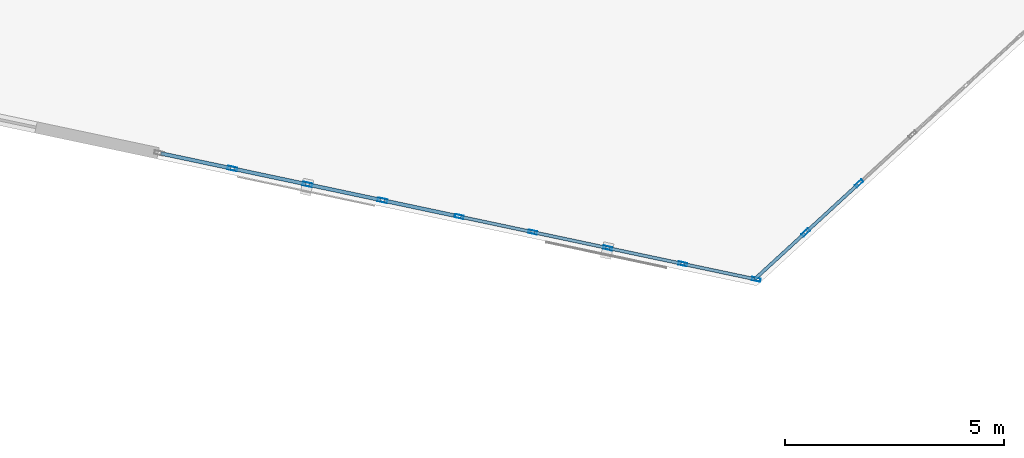
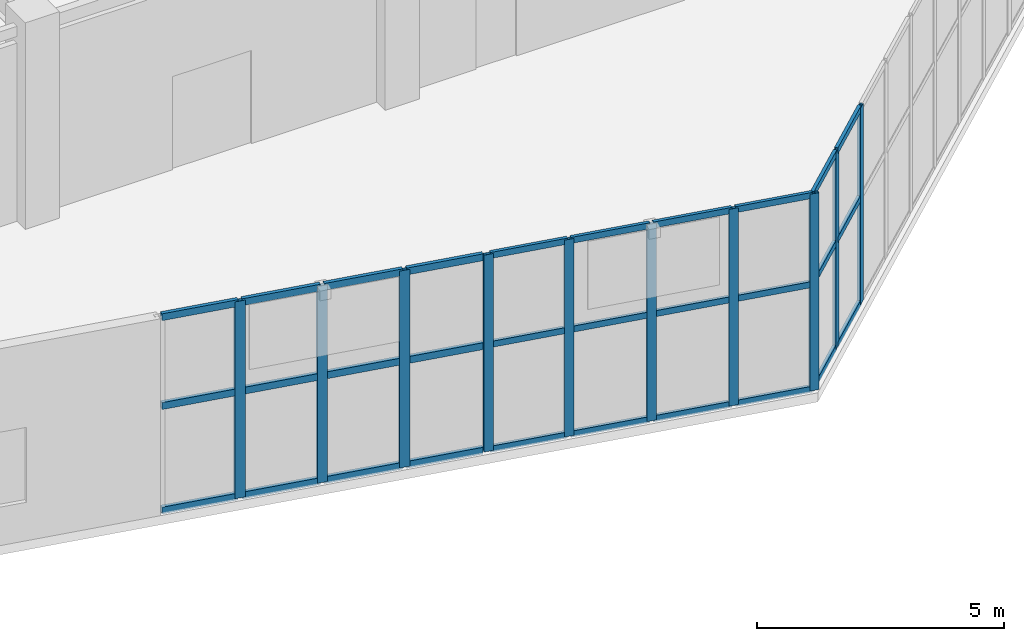
# One storey, part 34 of 128: 40 members, 3 elements without a shape of their own.
"""IFC4 building model written with IfcOpenShell, lengths in metres."""

from ifc_helpers import new_model, si_unit, direction, frame, origin, origin_2d, place, context, subcontext, project, spatial, hollow_rectangle, extrude, material, layer, layer_set, material_profile, profile_set, type_object, element, aggregate, save


model = new_model("IFC4")

# Units and contexts
model_context = context("Model", 3, precision=1e-05, world=origin(), true_north=direction((0.0, 1.0)))
body_context = subcontext(model_context, "Body", "Model", "MODEL_VIEW")
ifc_project = project(units=[si_unit("LENGTHUNIT", "METRE"), si_unit("AREAUNIT", "SQUARE_METRE"), si_unit("VOLUMEUNIT", "CUBIC_METRE"), si_unit("PLANEANGLEUNIT", "RADIAN"), si_unit("MASSUNIT", "GRAM", prefix="KILO")], contexts=[model_context])

# Site, building, storey
site_placement = place(None, origin())
site = spatial("IfcSite", under=ifc_project, at=site_placement, CompositionType="ELEMENT")
building_placement = place(site_placement, origin())
building = spatial("IfcBuilding", under=site, at=building_placement, Name="Xicomal Pleat Aquarium", CompositionType="ELEMENT")
storey_placement = place(building_placement, frame((0.0, 0.0, 5.39990234375)))
storey = spatial("IfcBuildingStorey", under=building, at=storey_placement, Name="L02", CompositionType="ELEMENT", Elevation=5.39990234375)

# Curtain wall, members
ifc_material_1 = material(Name="Bronze anodized aluminium 6063-T6", Category="aluminium")
ifc_layer_1 = layer(ifc_material_1, 0.159912109375)
ifc_layer_set_1 = layer_set([ifc_layer_1], Name="Bronze anodized aluminium 6063-T6")
curtain_wall_type_1 = type_object("IfcCurtainWallType", Name="CW-SYS-07", PredefinedType="NOTDEFINED", material=ifc_layer_set_1)
curtain_wall_1_placement = place(storey_placement, origin())
curtain_wall_1 = element("IfcCurtainWall", 1, at=curtain_wall_1_placement, inside=storey, type_object=curtain_wall_type_1, Name="L02 unitised curtain wall CW-L02-091", PredefinedType="NOTDEFINED")
ifc_material_2 = material(Name="Bronze anodized aluminium 6063-T6", Category="aluminium")
ifc_material_profile_1 = material_profile(ifc_material_2, hollow_rectangle(XDim=0.074951171875, YDim=0.199951171875, WallThickness=0.00439453125, at=origin_2d()), Name="ALU MULL 75x200")
ifc_profile_set_1 = profile_set([ifc_material_profile_1], Name="Bronze anodized aluminium 6063-T6")
member_type_1 = type_object("IfcMemberType", Name="CWM-75x200", PredefinedType="MULLION", material=ifc_profile_set_1)
member_1_placement = place(storey_placement, frame((79.59228515625, 17.144775390625, 0.0), z_axis=(0.0, 0.0, 1.0), x_axis=(-0.207090034789, -0.978321888486, 0.0)))
member_1 = element("IfcMember", 2, at=member_1_placement, type_object=member_type_1, Name="CW-07 mullion 1", PredefinedType="MULLION", context=body_context, shape_type="SweptSolid", body=[
    extrude(hollow_rectangle(XDim=0.074951171875, YDim=0.199951171875, WallThickness=0.00439453125, at=origin_2d()), origin(), (0.0, 0.0, 1.0), 4.860107421875),
])
member_2_placement = place(storey_placement, frame((77.91650390625, 17.49951171875, 0.0), z_axis=(0.0, 0.0, 1.0), x_axis=(-0.207090034789, -0.978321888486, 0.0)))
member_2 = element("IfcMember", 3, at=member_2_placement, type_object=member_type_1, Name="CW-07 mullion 2", PredefinedType="MULLION", context=body_context, shape_type="SweptSolid", body=[
    extrude(hollow_rectangle(XDim=0.074951171875, YDim=0.199951171875, WallThickness=0.00439453125, at=origin_2d()), origin(), (0.0, 0.0, 1.0), 4.860107421875),
])
member_3_placement = place(storey_placement, frame((76.2041015625, 17.862060546875, 0.0), z_axis=(0.0, 0.0, 1.0), x_axis=(-0.207090034789, -0.978321888486, 0.0)))
member_3 = element("IfcMember", 4, at=member_3_placement, type_object=member_type_1, Name="CW-07 mullion 3", PredefinedType="MULLION", context=body_context, shape_type="SweptSolid", body=[
    extrude(hollow_rectangle(XDim=0.074951171875, YDim=0.199951171875, WallThickness=0.00439453125, at=origin_2d()), origin(), (0.0, 0.0, 1.0), 4.860107421875),
])
member_4_placement = place(storey_placement, frame((74.491455078125, 18.224609375, 0.0), z_axis=(0.0, 0.0, 1.0), x_axis=(-0.207090034789, -0.978321888486, 0.0)))
member_4 = element("IfcMember", 5, at=member_4_placement, type_object=member_type_1, Name="CW-07 mullion 4", PredefinedType="MULLION", context=body_context, shape_type="SweptSolid", body=[
    extrude(hollow_rectangle(XDim=0.074951171875, YDim=0.199951171875, WallThickness=0.00439453125, at=origin_2d()), origin(), (0.0, 0.0, 1.0), 4.860107421875),
])
member_5_placement = place(storey_placement, frame((72.815673828125, 18.5791015625, 0.0), z_axis=(0.0, 0.0, 1.0), x_axis=(-0.207090034789, -0.978321888486, 0.0)))
member_5 = element("IfcMember", 6, at=member_5_placement, type_object=member_type_1, Name="CW-07 mullion 5", PredefinedType="MULLION", context=body_context, shape_type="SweptSolid", body=[
    extrude(hollow_rectangle(XDim=0.074951171875, YDim=0.199951171875, WallThickness=0.00439453125, at=origin_2d()), origin(), (0.0, 0.0, 1.0), 4.860107421875),
])

curtain_wall_2_placement = place(storey_placement, origin())
curtain_wall_2 = element("IfcCurtainWall", 7, at=curtain_wall_2_placement, inside=storey, type_object=curtain_wall_type_1, Name="L02 unitised curtain wall CW-L02-121", PredefinedType="NOTDEFINED")
member_6_placement = place(storey_placement, frame((81.9384765625, 19.33642578125, 0.0), z_axis=(0.0, 0.0, 1.0), x_axis=(0.676183757735, -0.736733008475, 0.0)))
member_6 = element("IfcMember", 8, at=member_6_placement, type_object=member_type_1, Name="CW-07 mullion 3", PredefinedType="MULLION", context=body_context, shape_type="SweptSolid", body=[
    extrude(hollow_rectangle(XDim=0.074951171875, YDim=0.199951171875, WallThickness=0.00439453125, at=origin_2d()), origin(), (0.0, 0.0, 1.0), 4.860107421875),
])
member_7_placement = place(storey_placement, frame((80.7216796875, 18.2197265625, 0.0), z_axis=(0.0, 0.0, 1.0), x_axis=(0.676183757735, -0.736733008475, 0.0)))
member_7 = element("IfcMember", 9, at=member_7_placement, type_object=member_type_1, Name="CW-07 mullion 4", PredefinedType="MULLION", context=body_context, shape_type="SweptSolid", body=[
    extrude(hollow_rectangle(XDim=0.074951171875, YDim=0.199951171875, WallThickness=0.00439453125, at=origin_2d()), origin(), (0.0, 0.0, 1.0), 4.860107421875),
])

ifc_material_3 = material(Name="Bronze anodized aluminium 6063-T6", Category="aluminium")
ifc_layer_2 = layer(ifc_material_3, 0.159912109375)
ifc_layer_set_2 = layer_set([ifc_layer_2], Name="Bronze anodized aluminium 6063-T6")
curtain_wall_type_2 = type_object("IfcCurtainWallType", Name="CW-SYS-12", PredefinedType="NOTDEFINED", material=ifc_layer_set_2)
curtain_wall_3_placement = place(storey_placement, origin())
curtain_wall_3 = element("IfcCurtainWall", 10, at=curtain_wall_3_placement, inside=storey, type_object=curtain_wall_type_2, Name="L02 unitised curtain wall CW-L02-092", PredefinedType="NOTDEFINED")
ifc_material_4 = material(Name="Bronze anodized aluminium 6063-T6", Category="aluminium")
ifc_material_profile_2 = material_profile(ifc_material_4, hollow_rectangle(XDim=0.0849609375, YDim=0.219970703125, WallThickness=0.0048828125, at=origin_2d()), Name="ALU MULL 85x220")
ifc_profile_set_2 = profile_set([ifc_material_profile_2], Name="Bronze anodized aluminium 6063-T6")
member_type_2 = type_object("IfcMemberType", Name="CWM-85x220", PredefinedType="MULLION", material=ifc_profile_set_2)
member_8_placement = place(storey_placement, frame((71.06640625, 18.949462890625, 0.0), z_axis=(0.0, 0.0, 1.0), x_axis=(-0.207090034789, -0.978321888486, 0.0)))
member_8 = element("IfcMember", 11, at=member_8_placement, type_object=member_type_2, Name="CW-12 mullion 2", PredefinedType="MULLION", context=body_context, shape_type="SweptSolid", body=[
    extrude(hollow_rectangle(XDim=0.0849609375, YDim=0.219970703125, WallThickness=0.0048828125, at=origin_2d()), origin(), (0.0, 0.0, 1.0), 4.860107421875),
])
member_9_placement = place(storey_placement, frame((69.35400390625, 19.31201171875, 0.0), z_axis=(0.0, 0.0, 1.0), x_axis=(-0.207090034789, -0.978321888486, 0.0)))
member_9 = element("IfcMember", 12, at=member_9_placement, type_object=member_type_2, Name="CW-12 mullion 3", PredefinedType="MULLION", context=body_context, shape_type="SweptSolid", body=[
    extrude(hollow_rectangle(XDim=0.0849609375, YDim=0.219970703125, WallThickness=0.0048828125, at=origin_2d()), origin(), (0.0, 0.0, 1.0), 4.860107421875),
])
member_10_placement = place(storey_placement, frame((67.6416015625, 19.674560546875, 0.0), z_axis=(0.0, 0.0, 1.0), x_axis=(-0.207090034789, -0.978321888486, 0.0)))
member_10 = element("IfcMember", 13, at=member_10_placement, type_object=member_type_2, Name="CW-12 mullion 4", PredefinedType="MULLION", context=body_context, shape_type="SweptSolid", body=[
    extrude(hollow_rectangle(XDim=0.0849609375, YDim=0.219970703125, WallThickness=0.0048828125, at=origin_2d()), origin(), (0.0, 0.0, 1.0), 4.860107421875),
])

# Member
ifc_material_5 = material(Name="Bronze anodized aluminium 6063-T6", Category="aluminium")
ifc_material_profile_3 = material_profile(ifc_material_5, hollow_rectangle(XDim=0.074951171875, YDim=0.14990234375, WallThickness=0.00439453125, at=origin_2d()), Name="ALU TRAN 75x150")
ifc_profile_set_3 = profile_set([ifc_material_profile_3], Name="Bronze anodized aluminium 6063-T6")
member_type_3 = type_object("IfcMemberType", Name="CWT-75x150", PredefinedType="USERDEFINED", material=ifc_profile_set_3)
member_11_placement = place(storey_placement, frame((79.5556640625, 17.152587890625, 0.03759765625), z_axis=(-0.978335772388, 0.207024434468, 0.0), x_axis=(-0.207024434468, -0.978335772388, 0.0)))
member_11 = element("IfcMember", 14, at=member_11_placement, type_object=member_type_3, Name="CW-07 transom 1.1", ObjectType="TRANSOM", PredefinedType="USERDEFINED", context=body_context, shape_type="SweptSolid", body=[
    extrude(hollow_rectangle(XDim=0.074951171875, YDim=0.14990234375, WallThickness=0.00439453125, at=origin_2d()), origin(), (0.0, 0.0, 1.0), 1.637939453125),
])

member_12_placement = place(storey_placement, frame((79.5556640625, 17.152587890625, 2.6240234375), z_axis=(-0.978335772388, 0.207024434468, 0.0), x_axis=(-0.207024434468, -0.978335772388, 0.0)))
member_12 = element("IfcMember", 15, at=member_12_placement, type_object=member_type_3, Name="CW-07 transom 1.2", ObjectType="TRANSOM", PredefinedType="USERDEFINED", context=body_context, shape_type="SweptSolid", body=[
    extrude(hollow_rectangle(XDim=0.074951171875, YDim=0.14990234375, WallThickness=0.00439453125, at=origin_2d()), origin(), (0.0, 0.0, 1.0), 1.637939453125),
])

member_13_placement = place(storey_placement, frame((79.5556640625, 17.152587890625, 4.822509765625), z_axis=(-0.978335772388, 0.207024434468, 0.0), x_axis=(-0.207024434468, -0.978335772388, 0.0)))
member_13 = element("IfcMember", 16, at=member_13_placement, type_object=member_type_3, Name="CW-07 transom 1.3", ObjectType="TRANSOM", PredefinedType="USERDEFINED", context=body_context, shape_type="SweptSolid", body=[
    extrude(hollow_rectangle(XDim=0.074951171875, YDim=0.14990234375, WallThickness=0.00439453125, at=origin_2d()), origin(), (0.0, 0.0, 1.0), 1.637939453125),
])

member_14_placement = place(storey_placement, frame((77.8798828125, 17.50732421875, 0.03759765625), z_axis=(-0.9783281372, 0.207060512803, 0.0), x_axis=(-0.207060512803, -0.9783281372, 0.0)))
member_14 = element("IfcMember", 17, at=member_14_placement, type_object=member_type_3, Name="CW-07 transom 2.1", ObjectType="TRANSOM", PredefinedType="USERDEFINED", context=body_context, shape_type="SweptSolid", body=[
    extrude(hollow_rectangle(XDim=0.074951171875, YDim=0.14990234375, WallThickness=0.00439453125, at=origin_2d()), origin(), (0.0, 0.0, 1.0), 1.675537109375),
])

member_15_placement = place(storey_placement, frame((77.8798828125, 17.50732421875, 2.6240234375), z_axis=(-0.9783281372, 0.207060512803, 0.0), x_axis=(-0.207060512803, -0.9783281372, 0.0)))
member_15 = element("IfcMember", 18, at=member_15_placement, type_object=member_type_3, Name="CW-07 transom 2.2", ObjectType="TRANSOM", PredefinedType="USERDEFINED", context=body_context, shape_type="SweptSolid", body=[
    extrude(hollow_rectangle(XDim=0.074951171875, YDim=0.14990234375, WallThickness=0.00439453125, at=origin_2d()), origin(), (0.0, 0.0, 1.0), 1.675537109375),
])

member_16_placement = place(storey_placement, frame((77.8798828125, 17.50732421875, 4.822509765625), z_axis=(-0.9783281372, 0.207060512803, 0.0), x_axis=(-0.207060512803, -0.9783281372, 0.0)))
member_16 = element("IfcMember", 19, at=member_16_placement, type_object=member_type_3, Name="CW-07 transom 2.3", ObjectType="TRANSOM", PredefinedType="USERDEFINED", context=body_context, shape_type="SweptSolid", body=[
    extrude(hollow_rectangle(XDim=0.074951171875, YDim=0.14990234375, WallThickness=0.00439453125, at=origin_2d()), origin(), (0.0, 0.0, 1.0), 1.675537109375),
])

member_17_placement = place(storey_placement, frame((76.167236328125, 17.869873046875, 0.03759765625), z_axis=(-0.978321888486, 0.207090034789, 0.0), x_axis=(-0.207090034789, -0.978321888486, 0.0)))
member_17 = element("IfcMember", 20, at=member_17_placement, type_object=member_type_3, Name="CW-07 transom 3.1", ObjectType="TRANSOM", PredefinedType="USERDEFINED", context=body_context, shape_type="SweptSolid", body=[
    extrude(hollow_rectangle(XDim=0.074951171875, YDim=0.14990234375, WallThickness=0.00439453125, at=origin_2d()), origin(), (0.0, 0.0, 1.0), 1.67529296875),
])

member_18_placement = place(storey_placement, frame((76.167236328125, 17.869873046875, 2.6240234375), z_axis=(-0.978321888486, 0.207090034789, 0.0), x_axis=(-0.207090034789, -0.978321888486, 0.0)))
member_18 = element("IfcMember", 21, at=member_18_placement, type_object=member_type_3, Name="CW-07 transom 3.2", ObjectType="TRANSOM", PredefinedType="USERDEFINED", context=body_context, shape_type="SweptSolid", body=[
    extrude(hollow_rectangle(XDim=0.074951171875, YDim=0.14990234375, WallThickness=0.00439453125, at=origin_2d()), origin(), (0.0, 0.0, 1.0), 1.67529296875),
])

member_19_placement = place(storey_placement, frame((76.167236328125, 17.869873046875, 4.822509765625), z_axis=(-0.978321888486, 0.207090034789, 0.0), x_axis=(-0.207090034789, -0.978321888486, 0.0)))
member_19 = element("IfcMember", 22, at=member_19_placement, type_object=member_type_3, Name="CW-07 transom 3.3", ObjectType="TRANSOM", PredefinedType="USERDEFINED", context=body_context, shape_type="SweptSolid", body=[
    extrude(hollow_rectangle(XDim=0.074951171875, YDim=0.14990234375, WallThickness=0.00439453125, at=origin_2d()), origin(), (0.0, 0.0, 1.0), 1.67529296875),
])

member_20_placement = place(storey_placement, frame((74.454833984375, 18.232421875, 0.03759765625), z_axis=(-0.978335772388, 0.207024434468, 0.0), x_axis=(-0.207024434468, -0.978335772388, 0.0)))
member_20 = element("IfcMember", 23, at=member_20_placement, type_object=member_type_3, Name="CW-07 transom 4.1", ObjectType="TRANSOM", PredefinedType="USERDEFINED", context=body_context, shape_type="SweptSolid", body=[
    extrude(hollow_rectangle(XDim=0.074951171875, YDim=0.14990234375, WallThickness=0.00439453125, at=origin_2d()), origin(), (0.0, 0.0, 1.0), 1.637939453125),
])

member_21_placement = place(storey_placement, frame((74.454833984375, 18.232421875, 2.6240234375), z_axis=(-0.978335772388, 0.207024434468, 0.0), x_axis=(-0.207024434468, -0.978335772388, 0.0)))
member_21 = element("IfcMember", 24, at=member_21_placement, type_object=member_type_3, Name="CW-07 transom 4.2", ObjectType="TRANSOM", PredefinedType="USERDEFINED", context=body_context, shape_type="SweptSolid", body=[
    extrude(hollow_rectangle(XDim=0.074951171875, YDim=0.14990234375, WallThickness=0.00439453125, at=origin_2d()), origin(), (0.0, 0.0, 1.0), 1.637939453125),
])

member_22_placement = place(storey_placement, frame((74.454833984375, 18.232421875, 4.822509765625), z_axis=(-0.978335772388, 0.207024434468, 0.0), x_axis=(-0.207024434468, -0.978335772388, 0.0)))
member_22 = element("IfcMember", 25, at=member_22_placement, type_object=member_type_3, Name="CW-07 transom 4.3", ObjectType="TRANSOM", PredefinedType="USERDEFINED", context=body_context, shape_type="SweptSolid", body=[
    extrude(hollow_rectangle(XDim=0.074951171875, YDim=0.14990234375, WallThickness=0.00439453125, at=origin_2d()), origin(), (0.0, 0.0, 1.0), 1.637939453125),
])

aggregate(curtain_wall_1, [member_1, member_2, member_3, member_4, member_5, member_11, member_12, member_13, member_14, member_15, member_16, member_17, member_18, member_19, member_20, member_21, member_22])

member_23_placement = place(storey_placement, frame((81.910888671875, 19.31103515625, 0.03759765625), z_axis=(-0.736736131374, -0.676180355177, 0.0), x_axis=(0.676180355177, -0.736736131374, 0.0)))
member_23 = element("IfcMember", 26, at=member_23_placement, type_object=member_type_3, Name="CW-07 transom 3.1", ObjectType="TRANSOM", PredefinedType="USERDEFINED", context=body_context, shape_type="SweptSolid", body=[
    extrude(hollow_rectangle(XDim=0.074951171875, YDim=0.14990234375, WallThickness=0.00439453125, at=origin_2d()), origin(), (0.0, 0.0, 1.0), 1.576416015625),
])

member_24_placement = place(storey_placement, frame((81.910888671875, 19.31103515625, 2.6240234375), z_axis=(-0.736736131374, -0.676180355177, 0.0), x_axis=(0.676180355177, -0.736736131374, 0.0)))
member_24 = element("IfcMember", 27, at=member_24_placement, type_object=member_type_3, Name="CW-07 transom 3.2", ObjectType="TRANSOM", PredefinedType="USERDEFINED", context=body_context, shape_type="SweptSolid", body=[
    extrude(hollow_rectangle(XDim=0.074951171875, YDim=0.14990234375, WallThickness=0.00439453125, at=origin_2d()), origin(), (0.0, 0.0, 1.0), 1.576416015625),
])

member_25_placement = place(storey_placement, frame((81.910888671875, 19.31103515625, 4.822509765625), z_axis=(-0.736736131374, -0.676180355177, 0.0), x_axis=(0.676180355177, -0.736736131374, 0.0)))
member_25 = element("IfcMember", 28, at=member_25_placement, type_object=member_type_3, Name="CW-07 transom 3.3", ObjectType="TRANSOM", PredefinedType="USERDEFINED", context=body_context, shape_type="SweptSolid", body=[
    extrude(hollow_rectangle(XDim=0.074951171875, YDim=0.14990234375, WallThickness=0.00439453125, at=origin_2d()), origin(), (0.0, 0.0, 1.0), 1.576416015625),
])

member_26_placement = place(storey_placement, frame((80.694091796875, 18.1943359375, 0.03759765625), z_axis=(-0.736758892154, -0.676155555203, 0.0), x_axis=(0.676155555203, -0.736758892154, 0.0)))
member_26 = element("IfcMember", 29, at=member_26_placement, type_object=member_type_3, Name="CW-07 transom 4.1", ObjectType="TRANSOM", PredefinedType="USERDEFINED", context=body_context, shape_type="SweptSolid", body=[
    extrude(hollow_rectangle(XDim=0.074951171875, YDim=0.14990234375, WallThickness=0.00439453125, at=origin_2d()), origin(), (0.0, 0.0, 1.0), 1.538818359375),
])

member_27_placement = place(storey_placement, frame((80.694091796875, 18.1943359375, 2.6240234375), z_axis=(-0.736758892154, -0.676155555203, 0.0), x_axis=(0.676155555203, -0.736758892154, 0.0)))
member_27 = element("IfcMember", 30, at=member_27_placement, type_object=member_type_3, Name="CW-07 transom 4.2", ObjectType="TRANSOM", PredefinedType="USERDEFINED", context=body_context, shape_type="SweptSolid", body=[
    extrude(hollow_rectangle(XDim=0.074951171875, YDim=0.14990234375, WallThickness=0.00439453125, at=origin_2d()), origin(), (0.0, 0.0, 1.0), 1.538818359375),
])

member_28_placement = place(storey_placement, frame((80.694091796875, 18.1943359375, 4.822509765625), z_axis=(-0.736758892154, -0.676155555203, 0.0), x_axis=(0.676155555203, -0.736758892154, 0.0)))
member_28 = element("IfcMember", 31, at=member_28_placement, type_object=member_type_3, Name="CW-07 transom 4.3", ObjectType="TRANSOM", PredefinedType="USERDEFINED", context=body_context, shape_type="SweptSolid", body=[
    extrude(hollow_rectangle(XDim=0.074951171875, YDim=0.14990234375, WallThickness=0.00439453125, at=origin_2d()), origin(), (0.0, 0.0, 1.0), 1.538818359375),
])

aggregate(curtain_wall_2, [member_6, member_7, member_23, member_24, member_25, member_26, member_27, member_28])

ifc_material_6 = material(Name="Bronze anodized aluminium 6063-T6", Category="aluminium")
ifc_material_profile_4 = material_profile(ifc_material_6, hollow_rectangle(XDim=0.0849609375, YDim=0.169921875, WallThickness=0.0048828125, at=origin_2d()), Name="ALU TRAN 85x170")
ifc_profile_set_4 = profile_set([ifc_material_profile_4], Name="Bronze anodized aluminium 6063-T6")
member_type_4 = type_object("IfcMemberType", Name="CWT-85x170", PredefinedType="USERDEFINED", material=ifc_profile_set_4)
member_29_placement = place(storey_placement, frame((72.69580078125, 18.6044921875, 0.04248046875), z_axis=(-0.978308092832, 0.207155196652, 0.0), x_axis=(-0.207155196652, -0.978308092832, 0.0)))
member_29 = element("IfcMember", 32, at=member_29_placement, type_object=member_type_4, Name="CW-12 transom 1.1", ObjectType="TRANSOM", PredefinedType="USERDEFINED", context=body_context, shape_type="SweptSolid", body=[
    extrude(hollow_rectangle(XDim=0.0849609375, YDim=0.169921875, WallThickness=0.0048828125, at=origin_2d()), origin(), (0.0, 0.0, 1.0), 1.622802734375),
])

member_30_placement = place(storey_placement, frame((72.69580078125, 18.6044921875, 2.6240234375), z_axis=(-0.978308092832, 0.207155196652, 0.0), x_axis=(-0.207155196652, -0.978308092832, 0.0)))
member_30 = element("IfcMember", 33, at=member_30_placement, type_object=member_type_4, Name="CW-12 transom 1.2", ObjectType="TRANSOM", PredefinedType="USERDEFINED", context=body_context, shape_type="SweptSolid", body=[
    extrude(hollow_rectangle(XDim=0.0849609375, YDim=0.169921875, WallThickness=0.0048828125, at=origin_2d()), origin(), (0.0, 0.0, 1.0), 1.622802734375),
])

member_31_placement = place(storey_placement, frame((72.69580078125, 18.6044921875, 4.817626953125), z_axis=(-0.978308092832, 0.207155196652, 0.0), x_axis=(-0.207155196652, -0.978308092832, 0.0)))
member_31 = element("IfcMember", 34, at=member_31_placement, type_object=member_type_4, Name="CW-12 transom 1.3", ObjectType="TRANSOM", PredefinedType="USERDEFINED", context=body_context, shape_type="SweptSolid", body=[
    extrude(hollow_rectangle(XDim=0.0849609375, YDim=0.169921875, WallThickness=0.0048828125, at=origin_2d()), origin(), (0.0, 0.0, 1.0), 1.622802734375),
])

member_32_placement = place(storey_placement, frame((71.02490234375, 18.958251953125, 0.04248046875), z_axis=(-0.978314300645, 0.207125877556, 0.0), x_axis=(-0.207125877556, -0.978314300645, 0.0)))
member_32 = element("IfcMember", 35, at=member_32_placement, type_object=member_type_4, Name="CW-12 transom 2.1", ObjectType="TRANSOM", PredefinedType="USERDEFINED", context=body_context, shape_type="SweptSolid", body=[
    extrude(hollow_rectangle(XDim=0.0849609375, YDim=0.169921875, WallThickness=0.0048828125, at=origin_2d()), origin(), (0.0, 0.0, 1.0), 1.66552734375),
])

member_33_placement = place(storey_placement, frame((71.02490234375, 18.958251953125, 2.6240234375), z_axis=(-0.978314300645, 0.207125877556, 0.0), x_axis=(-0.207125877556, -0.978314300645, 0.0)))
member_33 = element("IfcMember", 36, at=member_33_placement, type_object=member_type_4, Name="CW-12 transom 2.2", ObjectType="TRANSOM", PredefinedType="USERDEFINED", context=body_context, shape_type="SweptSolid", body=[
    extrude(hollow_rectangle(XDim=0.0849609375, YDim=0.169921875, WallThickness=0.0048828125, at=origin_2d()), origin(), (0.0, 0.0, 1.0), 1.66552734375),
])

member_34_placement = place(storey_placement, frame((71.02490234375, 18.958251953125, 4.817626953125), z_axis=(-0.978314300645, 0.207125877556, 0.0), x_axis=(-0.207125877556, -0.978314300645, 0.0)))
member_34 = element("IfcMember", 37, at=member_34_placement, type_object=member_type_4, Name="CW-12 transom 2.3", ObjectType="TRANSOM", PredefinedType="USERDEFINED", context=body_context, shape_type="SweptSolid", body=[
    extrude(hollow_rectangle(XDim=0.0849609375, YDim=0.169921875, WallThickness=0.0048828125, at=origin_2d()), origin(), (0.0, 0.0, 1.0), 1.66552734375),
])

member_35_placement = place(storey_placement, frame((69.3125, 19.32080078125, 0.04248046875), z_axis=(-0.978314300645, 0.207125877556, 0.0), x_axis=(-0.207125877556, -0.978314300645, 0.0)))
member_35 = element("IfcMember", 38, at=member_35_placement, type_object=member_type_4, Name="CW-12 transom 3.1", ObjectType="TRANSOM", PredefinedType="USERDEFINED", context=body_context, shape_type="SweptSolid", body=[
    extrude(hollow_rectangle(XDim=0.0849609375, YDim=0.169921875, WallThickness=0.0048828125, at=origin_2d()), origin(), (0.0, 0.0, 1.0), 1.66552734375),
])

member_36_placement = place(storey_placement, frame((69.3125, 19.32080078125, 2.6240234375), z_axis=(-0.978314300645, 0.207125877556, 0.0), x_axis=(-0.207125877556, -0.978314300645, 0.0)))
member_36 = element("IfcMember", 39, at=member_36_placement, type_object=member_type_4, Name="CW-12 transom 3.2", ObjectType="TRANSOM", PredefinedType="USERDEFINED", context=body_context, shape_type="SweptSolid", body=[
    extrude(hollow_rectangle(XDim=0.0849609375, YDim=0.169921875, WallThickness=0.0048828125, at=origin_2d()), origin(), (0.0, 0.0, 1.0), 1.66552734375),
])

member_37_placement = place(storey_placement, frame((69.3125, 19.32080078125, 4.817626953125), z_axis=(-0.978314300645, 0.207125877556, 0.0), x_axis=(-0.207125877556, -0.978314300645, 0.0)))
member_37 = element("IfcMember", 40, at=member_37_placement, type_object=member_type_4, Name="CW-12 transom 3.3", ObjectType="TRANSOM", PredefinedType="USERDEFINED", context=body_context, shape_type="SweptSolid", body=[
    extrude(hollow_rectangle(XDim=0.0849609375, YDim=0.169921875, WallThickness=0.0048828125, at=origin_2d()), origin(), (0.0, 0.0, 1.0), 1.66552734375),
])

member_38_placement = place(storey_placement, frame((67.599853515625, 19.683349609375, 0.04248046875), z_axis=(-0.978338571497, 0.207011206271, 0.0), x_axis=(-0.207011206271, -0.978338571497, 0.0)))
member_38 = element("IfcMember", 41, at=member_38_placement, type_object=member_type_4, Name="CW-12 transom 4.1", ObjectType="TRANSOM", PredefinedType="USERDEFINED", context=body_context, shape_type="SweptSolid", body=[
    extrude(hollow_rectangle(XDim=0.0849609375, YDim=0.169921875, WallThickness=0.0048828125, at=origin_2d()), origin(), (0.0, 0.0, 1.0), 1.622802734375),
])

member_39_placement = place(storey_placement, frame((67.599853515625, 19.683349609375, 2.6240234375), z_axis=(-0.978338571497, 0.207011206271, 0.0), x_axis=(-0.207011206271, -0.978338571497, 0.0)))
member_39 = element("IfcMember", 42, at=member_39_placement, type_object=member_type_4, Name="CW-12 transom 4.2", ObjectType="TRANSOM", PredefinedType="USERDEFINED", context=body_context, shape_type="SweptSolid", body=[
    extrude(hollow_rectangle(XDim=0.0849609375, YDim=0.169921875, WallThickness=0.0048828125, at=origin_2d()), origin(), (0.0, 0.0, 1.0), 1.622802734375),
])

member_40_placement = place(storey_placement, frame((67.599853515625, 19.683349609375, 4.817626953125), z_axis=(-0.978338571497, 0.207011206271, 0.0), x_axis=(-0.207011206271, -0.978338571497, 0.0)))
member_40 = element("IfcMember", 43, at=member_40_placement, type_object=member_type_4, Name="CW-12 transom 4.3", ObjectType="TRANSOM", PredefinedType="USERDEFINED", context=body_context, shape_type="SweptSolid", body=[
    extrude(hollow_rectangle(XDim=0.0849609375, YDim=0.169921875, WallThickness=0.0048828125, at=origin_2d()), origin(), (0.0, 0.0, 1.0), 1.622802734375),
])

aggregate(curtain_wall_3, [member_8, member_9, member_10, member_29, member_30, member_31, member_32, member_33, member_34, member_35, member_36, member_37, member_38, member_39, member_40])

save(model, "model.ifc")
